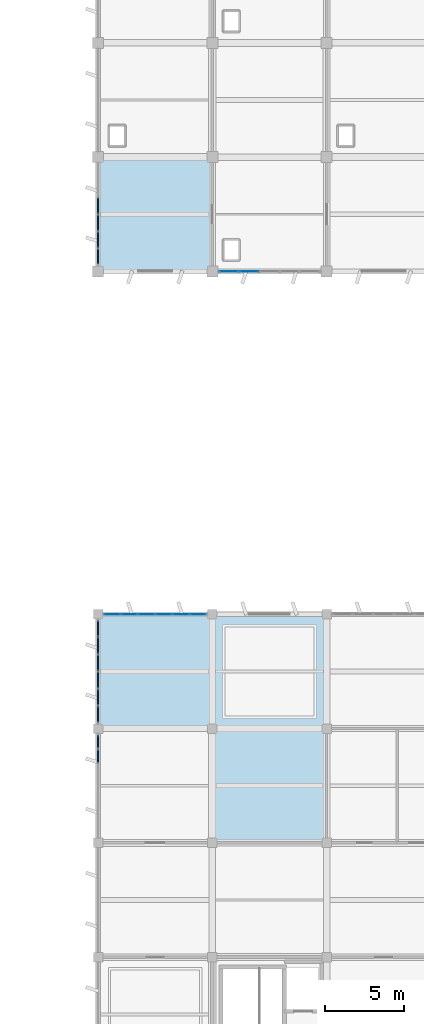
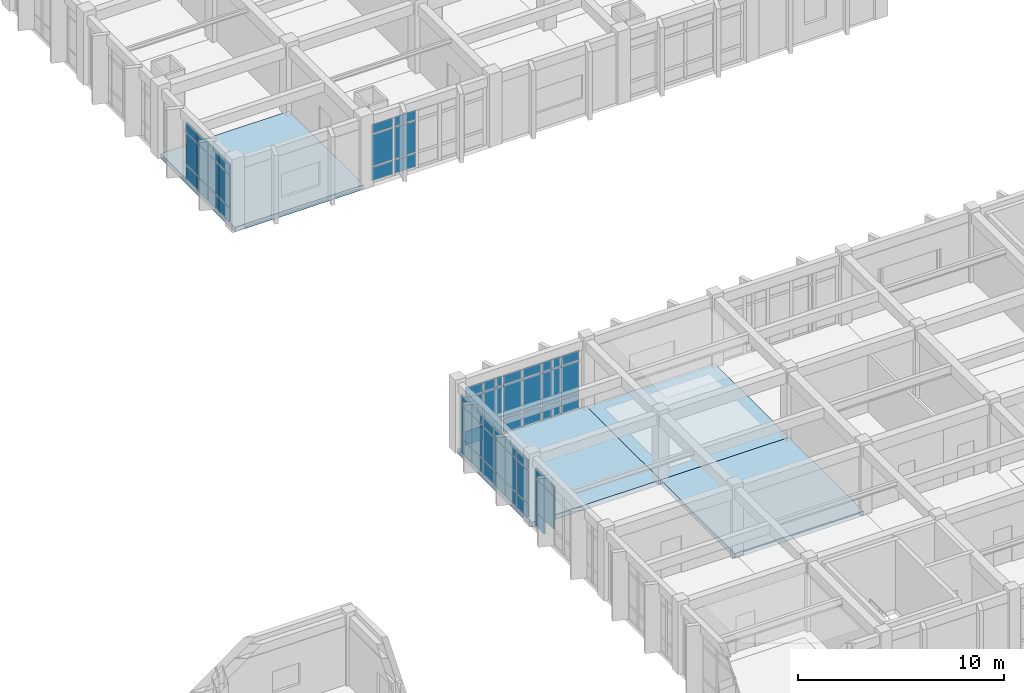
# One storey, part 36 of 70: 59 plates, 4 slabs, 5 elements without a shape of their own.
"""IFC4 building model written with IfcOpenShell, lengths in metres."""

from ifc_helpers import new_model, si_unit, direction, frame, origin, origin_2d, place, context, subcontext, project, spatial, polyline, rectangle, outline, extrude, material, layer, layer_set, type_object, element, aggregate, save


model = new_model("IFC4")

# Units and contexts
model_context = context("Model", 3, precision=1e-05, world=origin(), true_north=direction((0.0, 1.0)))
body_context = subcontext(model_context, "Body", "Model", "MODEL_VIEW")
ifc_project = project(units=[si_unit("LENGTHUNIT", "METRE"), si_unit("AREAUNIT", "SQUARE_METRE"), si_unit("VOLUMEUNIT", "CUBIC_METRE"), si_unit("PLANEANGLEUNIT", "RADIAN"), si_unit("MASSUNIT", "GRAM", prefix="KILO")], contexts=[model_context])

# Site, building, storey
site_placement = place(None, origin())
site = spatial("IfcSite", under=ifc_project, at=site_placement, CompositionType="ELEMENT")
building_placement = place(site_placement, origin())
building = spatial("IfcBuilding", under=site, at=building_placement, Name="Kavelor Marine Aquarium", CompositionType="ELEMENT")
storey_placement = place(building_placement, frame((0.0, 0.0, 9.179931640625)))
storey = spatial("IfcBuildingStorey", under=building, at=storey_placement, Name="L02", CompositionType="ELEMENT", Elevation=9.179931640625)

# Curtain wall, plates
ifc_material_1 = material(Name="Thermally Broken Aluminium and Low-E Glass", Category="aluminium")
ifc_layer_1 = layer(ifc_material_1, 0.179931640625)
ifc_layer_set_1 = layer_set([ifc_layer_1], Name="CW-SYS5")
curtain_wall_type_1 = type_object("IfcCurtainWallType", Name="CW-SYS5", PredefinedType="USERDEFINED", material=ifc_layer_set_1)
curtain_wall_1_placement = place(storey_placement, origin())
curtain_wall_1 = element("IfcCurtainWall", 1, at=curtain_wall_1_placement, inside=storey, type_object=curtain_wall_type_1, Name="cw:x:L02:16_04", ObjectType="Curtain Wall", PredefinedType="USERDEFINED")
ifc_material_2 = material(Name="Solar-Control Double Low-E Glazing", Category="glass")
ifc_layer_2 = layer(ifc_material_2, 0.033935546875)
ifc_layer_set_2 = layer_set([ifc_layer_2], Name="CWP-05")
plate_type_1 = type_object("IfcPlateType", Name="CWP-05", PredefinedType="CURTAIN_PANEL", material=ifc_layer_set_2)
plate_1_placement = place(storey_placement, frame((119.3037109375, 31.60009765625, 0.06005859375), z_axis=(0.0, 0.0, 1.0), x_axis=(1.0, 0.0, 0.0)))
plate_1 = element("IfcPlate", 2, at=plate_1_placement, type_object=plate_type_1, Name="CW05 panel 1.1", PredefinedType="CURTAIN_PANEL", context=body_context, shape_type="SweptSolid", body=[
    extrude(rectangle(XDim=0.987548828125, YDim=0.033935546875, at=origin_2d()), origin(), (0.0, 0.0, 1.0), 0.81005859375),
])
plate_2_placement = place(storey_placement, frame((119.3037109375, 31.60009765625, 0.93017578125), z_axis=(0.0, 0.0, 1.0), x_axis=(1.0, 0.0, 0.0)))
plate_2 = element("IfcPlate", 3, at=plate_2_placement, type_object=plate_type_1, Name="CW05 panel 1.2", PredefinedType="CURTAIN_PANEL", context=body_context, shape_type="SweptSolid", body=[
    extrude(rectangle(XDim=0.987548828125, YDim=0.033935546875, at=origin_2d()), origin(), (0.0, 0.0, 1.0), 1.909912109375),
])
plate_3_placement = place(storey_placement, frame((119.3037109375, 31.60009765625, 2.900146484375), z_axis=(0.0, 0.0, 1.0), x_axis=(1.0, 0.0, 0.0)))
plate_3 = element("IfcPlate", 4, at=plate_3_placement, type_object=plate_type_1, Name="CW05 panel 1.3", PredefinedType="CURTAIN_PANEL", context=body_context, shape_type="SweptSolid", body=[
    extrude(rectangle(XDim=0.987548828125, YDim=0.033935546875, at=origin_2d()), origin(), (0.0, 0.0, 1.0), 0.56005859375),
])
plate_4_placement = place(storey_placement, frame((120.37255859375, 31.60009765625, 0.06005859375), z_axis=(0.0, 0.0, 1.0), x_axis=(1.0, 0.0, 0.0)))
plate_4 = element("IfcPlate", 5, at=plate_4_placement, type_object=plate_type_1, Name="CW05 panel 2.1", PredefinedType="CURTAIN_PANEL", context=body_context, shape_type="SweptSolid", body=[
    extrude(rectangle(XDim=1.02001953125, YDim=0.033935546875, at=origin_2d()), origin(), (0.0, 0.0, 1.0), 0.81005859375),
])
plate_5_placement = place(storey_placement, frame((120.37255859375, 31.60009765625, 0.93017578125), z_axis=(0.0, 0.0, 1.0), x_axis=(1.0, 0.0, 0.0)))
plate_5 = element("IfcPlate", 6, at=plate_5_placement, type_object=plate_type_1, Name="CW05 panel 2.2", PredefinedType="CURTAIN_PANEL", context=body_context, shape_type="SweptSolid", body=[
    extrude(rectangle(XDim=1.02001953125, YDim=0.033935546875, at=origin_2d()), origin(), (0.0, 0.0, 1.0), 1.909912109375),
])
plate_6_placement = place(storey_placement, frame((120.37255859375, 31.60009765625, 2.900146484375), z_axis=(0.0, 0.0, 1.0), x_axis=(1.0, 0.0, 0.0)))
plate_6 = element("IfcPlate", 7, at=plate_6_placement, type_object=plate_type_1, Name="CW05 panel 2.3", PredefinedType="CURTAIN_PANEL", context=body_context, shape_type="SweptSolid", body=[
    extrude(rectangle(XDim=1.02001953125, YDim=0.033935546875, at=origin_2d()), origin(), (0.0, 0.0, 1.0), 0.56005859375),
])
plate_7_placement = place(storey_placement, frame((121.45751953125, 31.60009765625, 0.06005859375), z_axis=(0.0, 0.0, 1.0), x_axis=(1.0, 0.0, 0.0)))
plate_7 = element("IfcPlate", 8, at=plate_7_placement, type_object=plate_type_1, Name="CW05 panel 3.1", PredefinedType="CURTAIN_PANEL", context=body_context, shape_type="SweptSolid", body=[
    extrude(rectangle(XDim=1.02001953125, YDim=0.033935546875, at=origin_2d()), origin(), (0.0, 0.0, 1.0), 0.81005859375),
])
plate_8_placement = place(storey_placement, frame((121.45751953125, 31.60009765625, 0.93017578125), z_axis=(0.0, 0.0, 1.0), x_axis=(1.0, 0.0, 0.0)))
plate_8 = element("IfcPlate", 9, at=plate_8_placement, type_object=plate_type_1, Name="CW05 panel 3.2", PredefinedType="CURTAIN_PANEL", context=body_context, shape_type="SweptSolid", body=[
    extrude(rectangle(XDim=1.02001953125, YDim=0.033935546875, at=origin_2d()), origin(), (0.0, 0.0, 1.0), 1.909912109375),
])
plate_9_placement = place(storey_placement, frame((121.45751953125, 31.60009765625, 2.900146484375), z_axis=(0.0, 0.0, 1.0), x_axis=(1.0, 0.0, 0.0)))
plate_9 = element("IfcPlate", 10, at=plate_9_placement, type_object=plate_type_1, Name="CW05 panel 3.3", PredefinedType="CURTAIN_PANEL", context=body_context, shape_type="SweptSolid", body=[
    extrude(rectangle(XDim=1.02001953125, YDim=0.033935546875, at=origin_2d()), origin(), (0.0, 0.0, 1.0), 0.56005859375),
])
plate_10_placement = place(storey_placement, frame((122.54248046875, 31.60009765625, 0.06005859375), z_axis=(0.0, 0.0, 1.0), x_axis=(1.0, 0.0, 0.0)))
plate_10 = element("IfcPlate", 11, at=plate_10_placement, type_object=plate_type_1, Name="CW05 panel 4.1", PredefinedType="CURTAIN_PANEL", context=body_context, shape_type="SweptSolid", body=[
    extrude(rectangle(XDim=1.02001953125, YDim=0.033935546875, at=origin_2d()), origin(), (0.0, 0.0, 1.0), 0.81005859375),
])
plate_11_placement = place(storey_placement, frame((122.54248046875, 31.60009765625, 0.93017578125), z_axis=(0.0, 0.0, 1.0), x_axis=(1.0, 0.0, 0.0)))
plate_11 = element("IfcPlate", 12, at=plate_11_placement, type_object=plate_type_1, Name="CW05 panel 4.2", PredefinedType="CURTAIN_PANEL", context=body_context, shape_type="SweptSolid", body=[
    extrude(rectangle(XDim=1.02001953125, YDim=0.033935546875, at=origin_2d()), origin(), (0.0, 0.0, 1.0), 1.909912109375),
])
plate_12_placement = place(storey_placement, frame((122.54248046875, 31.60009765625, 2.900146484375), z_axis=(0.0, 0.0, 1.0), x_axis=(1.0, 0.0, 0.0)))
plate_12 = element("IfcPlate", 13, at=plate_12_placement, type_object=plate_type_1, Name="CW05 panel 4.3", PredefinedType="CURTAIN_PANEL", context=body_context, shape_type="SweptSolid", body=[
    extrude(rectangle(XDim=1.02001953125, YDim=0.033935546875, at=origin_2d()), origin(), (0.0, 0.0, 1.0), 0.56005859375),
])
plate_13_placement = place(storey_placement, frame((123.62744140625, 31.60009765625, 0.06005859375), z_axis=(0.0, 0.0, 1.0), x_axis=(1.0, 0.0, 0.0)))
plate_13 = element("IfcPlate", 14, at=plate_13_placement, type_object=plate_type_1, Name="CW05 panel 5.1", PredefinedType="CURTAIN_PANEL", context=body_context, shape_type="SweptSolid", body=[
    extrude(rectangle(XDim=1.02001953125, YDim=0.033935546875, at=origin_2d()), origin(), (0.0, 0.0, 1.0), 0.81005859375),
])
plate_14_placement = place(storey_placement, frame((123.62744140625, 31.60009765625, 0.93017578125), z_axis=(0.0, 0.0, 1.0), x_axis=(1.0, 0.0, 0.0)))
plate_14 = element("IfcPlate", 15, at=plate_14_placement, type_object=plate_type_1, Name="CW05 panel 5.2", PredefinedType="CURTAIN_PANEL", context=body_context, shape_type="SweptSolid", body=[
    extrude(rectangle(XDim=1.02001953125, YDim=0.033935546875, at=origin_2d()), origin(), (0.0, 0.0, 1.0), 1.909912109375),
])
plate_15_placement = place(storey_placement, frame((123.62744140625, 31.60009765625, 2.900146484375), z_axis=(0.0, 0.0, 1.0), x_axis=(1.0, 0.0, 0.0)))
plate_15 = element("IfcPlate", 16, at=plate_15_placement, type_object=plate_type_1, Name="CW05 panel 5.3", PredefinedType="CURTAIN_PANEL", context=body_context, shape_type="SweptSolid", body=[
    extrude(rectangle(XDim=1.02001953125, YDim=0.033935546875, at=origin_2d()), origin(), (0.0, 0.0, 1.0), 0.56005859375),
])
plate_16_placement = place(storey_placement, frame((124.6962890625, 31.60009765625, 0.06005859375), z_axis=(0.0, 0.0, 1.0), x_axis=(1.0, 0.0, 0.0)))
plate_16 = element("IfcPlate", 17, at=plate_16_placement, type_object=plate_type_1, Name="CW05 panel 6.1", PredefinedType="CURTAIN_PANEL", context=body_context, shape_type="SweptSolid", body=[
    extrude(rectangle(XDim=0.987548828125, YDim=0.033935546875, at=origin_2d()), origin(), (0.0, 0.0, 1.0), 0.81005859375),
])
plate_17_placement = place(storey_placement, frame((124.6962890625, 31.60009765625, 0.93017578125), z_axis=(0.0, 0.0, 1.0), x_axis=(1.0, 0.0, 0.0)))
plate_17 = element("IfcPlate", 18, at=plate_17_placement, type_object=plate_type_1, Name="CW05 panel 6.2", PredefinedType="CURTAIN_PANEL", context=body_context, shape_type="SweptSolid", body=[
    extrude(rectangle(XDim=0.987548828125, YDim=0.033935546875, at=origin_2d()), origin(), (0.0, 0.0, 1.0), 1.909912109375),
])
plate_18_placement = place(storey_placement, frame((124.6962890625, 31.60009765625, 2.900146484375), z_axis=(0.0, 0.0, 1.0), x_axis=(1.0, 0.0, 0.0)))
plate_18 = element("IfcPlate", 19, at=plate_18_placement, type_object=plate_type_1, Name="CW05 panel 6.3", PredefinedType="CURTAIN_PANEL", context=body_context, shape_type="SweptSolid", body=[
    extrude(rectangle(XDim=0.987548828125, YDim=0.033935546875, at=origin_2d()), origin(), (0.0, 0.0, 1.0), 0.56005859375),
])
aggregate(curtain_wall_1, [plate_1, plate_2, plate_3, plate_4, plate_5, plate_6, plate_7, plate_8, plate_9, plate_10, plate_11, plate_12, plate_13, plate_14, plate_15, plate_16, plate_17, plate_18])

ifc_material_3 = material(Name="Thermally Broken Aluminium and Low-E Glass", Category="aluminium")
ifc_layer_3 = layer(ifc_material_3, 0.18798828125)
ifc_layer_set_3 = layer_set([ifc_layer_3], Name="CW-SYS6")
curtain_wall_type_2 = type_object("IfcCurtainWallType", Name="CW-SYS6", PredefinedType="USERDEFINED", material=ifc_layer_set_3)
curtain_wall_2_placement = place(storey_placement, origin())
curtain_wall_2 = element("IfcCurtainWall", 20, at=curtain_wall_2_placement, inside=storey, type_object=curtain_wall_type_2, Name="cw:x:L02:17_07", ObjectType="Curtain Wall", PredefinedType="USERDEFINED")
ifc_material_4 = material(Name="Solar-Control Double Low-E Glazing", Category="glass")
ifc_layer_4 = layer(ifc_material_4, 0.035888671875)
ifc_layer_set_4 = layer_set([ifc_layer_4], Name="CWP-06")
plate_type_2 = type_object("IfcPlateType", Name="CWP-06", PredefinedType="CURTAIN_PANEL", material=ifc_layer_set_4)
plate_19_placement = place(storey_placement, frame((127.91796875, 53.199951171875, 0.074951171875), z_axis=(0.0, 0.0, 1.0), x_axis=(-1.0, 0.0, 0.0)))
plate_19 = element("IfcPlate", 21, at=plate_19_placement, type_object=plate_type_2, Name="CW06 panel 4.1", PredefinedType="CURTAIN_PANEL", context=body_context, shape_type="SweptSolid", body=[
    extrude(rectangle(XDim=1.221923828125, YDim=0.035888671875, at=origin_2d()), origin(), (0.0, 0.0, 1.0), 0.78759765625),
])
plate_20_placement = place(storey_placement, frame((127.91796875, 53.199951171875, 0.9375), z_axis=(0.0, 0.0, 1.0), x_axis=(-1.0, 0.0, 0.0)))
plate_20 = element("IfcPlate", 22, at=plate_20_placement, type_object=plate_type_2, Name="CW06 panel 4.2", PredefinedType="CURTAIN_PANEL", context=body_context, shape_type="SweptSolid", body=[
    extrude(rectangle(XDim=1.221923828125, YDim=0.035888671875, at=origin_2d()), origin(), (0.0, 0.0, 1.0), 1.85498046875),
])
plate_21_placement = place(storey_placement, frame((127.91796875, 53.199951171875, 2.867431640625), z_axis=(0.0, 0.0, 1.0), x_axis=(-1.0, 0.0, 0.0)))
plate_21 = element("IfcPlate", 23, at=plate_21_placement, type_object=plate_type_2, Name="CW06 panel 4.3", PredefinedType="CURTAIN_PANEL", context=body_context, shape_type="SweptSolid", body=[
    extrude(rectangle(XDim=1.221923828125, YDim=0.035888671875, at=origin_2d()), origin(), (0.0, 0.0, 1.0), 0.53759765625),
])
plate_22_placement = place(storey_placement, frame((126.65087890625, 53.199951171875, 0.074951171875), z_axis=(0.0, 0.0, 1.0), x_axis=(-1.0, 0.0, 0.0)))
plate_22 = element("IfcPlate", 24, at=plate_22_placement, type_object=plate_type_2, Name="CW06 panel 5.1", PredefinedType="CURTAIN_PANEL", context=body_context, shape_type="SweptSolid", body=[
    extrude(rectangle(XDim=1.19189453125, YDim=0.035888671875, at=origin_2d()), origin(), (0.0, 0.0, 1.0), 0.78759765625),
])
plate_23_placement = place(storey_placement, frame((126.65087890625, 53.199951171875, 0.9375), z_axis=(0.0, 0.0, 1.0), x_axis=(-1.0, 0.0, 0.0)))
plate_23 = element("IfcPlate", 25, at=plate_23_placement, type_object=plate_type_2, Name="CW06 panel 5.2", PredefinedType="CURTAIN_PANEL", context=body_context, shape_type="SweptSolid", body=[
    extrude(rectangle(XDim=1.19189453125, YDim=0.035888671875, at=origin_2d()), origin(), (0.0, 0.0, 1.0), 1.85498046875),
])
plate_24_placement = place(storey_placement, frame((126.65087890625, 53.199951171875, 2.867431640625), z_axis=(0.0, 0.0, 1.0), x_axis=(-1.0, 0.0, 0.0)))
plate_24 = element("IfcPlate", 26, at=plate_24_placement, type_object=plate_type_2, Name="CW06 panel 5.3", PredefinedType="CURTAIN_PANEL", context=body_context, shape_type="SweptSolid", body=[
    extrude(rectangle(XDim=1.19189453125, YDim=0.035888671875, at=origin_2d()), origin(), (0.0, 0.0, 1.0), 0.53759765625),
])
aggregate(curtain_wall_2, [plate_19, plate_20, plate_21, plate_22, plate_23, plate_24])

ifc_material_5 = material(Name="Thermally Broken Aluminium and Low-E Glass", Category="aluminium")
ifc_layer_5 = layer(ifc_material_5, 0.156005859375)
ifc_layer_set_5 = layer_set([ifc_layer_5], Name="CW-SYS2")
curtain_wall_type_3 = type_object("IfcCurtainWallType", Name="CW-SYS2", PredefinedType="USERDEFINED", material=ifc_layer_set_5)
curtain_wall_3_placement = place(storey_placement, origin())
curtain_wall_3 = element("IfcCurtainWall", 27, at=curtain_wall_3_placement, inside=storey, type_object=curtain_wall_type_3, Name="cw:y:L02:16_02", ObjectType="Curtain Wall", PredefinedType="USERDEFINED")
ifc_material_6 = material(Name="Solar-Control Double Low-E Glazing", Category="glass")
ifc_layer_6 = layer(ifc_material_6, 0.075927734375)
ifc_layer_set_6 = layer_set([ifc_layer_6], Name="CWP-26")
plate_type_3 = type_object("IfcPlateType", Name="CWP-26", PredefinedType="CURTAIN_PANEL", material=ifc_layer_set_6)
plate_25_placement = place(storey_placement, frame((118.39990234375, 23.57373046875, 0.06494140625), z_axis=(0.0, 0.0, 1.0), x_axis=(0.0, -1.0, 0.0)))
plate_25 = element("IfcPlate", 28, at=plate_25_placement, type_object=plate_type_3, Name="CW02 panel 1.1", PredefinedType="CURTAIN_PANEL", context=body_context, shape_type="SweptSolid", body=[
    extrude(rectangle(XDim=0.83251953125, YDim=0.075927734375, at=origin_2d()), origin(), (0.0, 0.0, 1.0), 0.802490234375),
])
plate_26_placement = place(storey_placement, frame((118.39990234375, 23.57373046875, 0.9326171875), z_axis=(0.0, 0.0, 1.0), x_axis=(0.0, -1.0, 0.0)))
plate_26 = element("IfcPlate", 29, at=plate_26_placement, type_object=plate_type_3, Name="CW02 panel 1.2", PredefinedType="CURTAIN_PANEL", context=body_context, shape_type="SweptSolid", body=[
    extrude(rectangle(XDim=0.83251953125, YDim=0.075927734375, at=origin_2d()), origin(), (0.0, 0.0, 1.0), 1.905029296875),
])
plate_27_placement = place(storey_placement, frame((118.39990234375, 23.57373046875, 2.90234375), z_axis=(0.0, 0.0, 1.0), x_axis=(0.0, -1.0, 0.0)))
plate_27 = element("IfcPlate", 30, at=plate_27_placement, type_object=plate_type_3, Name="CW02 panel 1.3", PredefinedType="CURTAIN_PANEL", context=body_context, shape_type="SweptSolid", body=[
    extrude(rectangle(XDim=0.83251953125, YDim=0.075927734375, at=origin_2d()), origin(), (0.0, 0.0, 1.0), 0.552490234375),
])
plate_28_placement = place(storey_placement, frame((118.39990234375, 22.659912109375, 0.9326171875), z_axis=(0.0, 0.0, 1.0), x_axis=(0.0, -1.0, 0.0)))
plate_28 = element("IfcPlate", 31, at=plate_28_placement, type_object=plate_type_3, Name="CW02 panel 2.2", PredefinedType="CURTAIN_PANEL", context=body_context, shape_type="SweptSolid", body=[
    extrude(rectangle(XDim=0.864990234375, YDim=0.075927734375, at=origin_2d()), origin(), (0.0, 0.0, 1.0), 1.905029296875),
])
plate_29_placement = place(storey_placement, frame((118.39990234375, 22.659912109375, 2.90234375), z_axis=(0.0, 0.0, 1.0), x_axis=(0.0, -1.0, 0.0)))
plate_29 = element("IfcPlate", 32, at=plate_29_placement, type_object=plate_type_3, Name="CW02 panel 2.3", PredefinedType="CURTAIN_PANEL", context=body_context, shape_type="SweptSolid", body=[
    extrude(rectangle(XDim=0.864990234375, YDim=0.075927734375, at=origin_2d()), origin(), (0.0, 0.0, 1.0), 0.552490234375),
])
aggregate(curtain_wall_3, [plate_25, plate_26, plate_27, plate_28, plate_29])

ifc_material_7 = material(Name="Thermally Broken Aluminium and Low-E Glass", Category="aluminium")
ifc_layer_7 = layer(ifc_material_7, 0.1640625)
ifc_layer_set_7 = layer_set([ifc_layer_7], Name="CW-SYS3")
curtain_wall_type_4 = type_object("IfcCurtainWallType", Name="CW-SYS3", PredefinedType="USERDEFINED", material=ifc_layer_set_7)
curtain_wall_4_placement = place(storey_placement, origin())
curtain_wall_4 = element("IfcCurtainWall", 33, at=curtain_wall_4_placement, inside=storey, type_object=curtain_wall_type_4, Name="cw:y:L02:16_03", ObjectType="Curtain Wall", PredefinedType="USERDEFINED")
ifc_material_8 = material(Name="Solar-Control Double Low-E Glazing", Category="glass")
ifc_layer_8 = layer(ifc_material_8, 0.077880859375)
ifc_layer_set_8 = layer_set([ifc_layer_8], Name="CWP-27")
plate_type_4 = type_object("IfcPlateType", Name="CWP-27", PredefinedType="CURTAIN_PANEL", material=ifc_layer_set_8)
plate_30_placement = place(storey_placement, frame((118.39990234375, 30.697509765625, 0.06494140625), z_axis=(0.0, 0.0, 1.0), x_axis=(0.0, -1.0, 0.0)))
plate_30 = element("IfcPlate", 34, at=plate_30_placement, type_object=plate_type_4, Name="CW03 panel 1.1", PredefinedType="CURTAIN_PANEL", context=body_context, shape_type="SweptSolid", body=[
    extrude(rectangle(XDim=0.9951171875, YDim=0.077880859375, at=origin_2d()), origin(), (0.0, 0.0, 1.0), 0.802490234375),
])
plate_31_placement = place(storey_placement, frame((118.39990234375, 30.697509765625, 0.9326171875), z_axis=(0.0, 0.0, 1.0), x_axis=(0.0, -1.0, 0.0)))
plate_31 = element("IfcPlate", 35, at=plate_31_placement, type_object=plate_type_4, Name="CW03 panel 1.2", PredefinedType="CURTAIN_PANEL", context=body_context, shape_type="SweptSolid", body=[
    extrude(rectangle(XDim=0.9951171875, YDim=0.077880859375, at=origin_2d()), origin(), (0.0, 0.0, 1.0), 1.905029296875),
])
plate_32_placement = place(storey_placement, frame((118.39990234375, 30.697509765625, 2.90234375), z_axis=(0.0, 0.0, 1.0), x_axis=(0.0, -1.0, 0.0)))
plate_32 = element("IfcPlate", 36, at=plate_32_placement, type_object=plate_type_4, Name="CW03 panel 1.3", PredefinedType="CURTAIN_PANEL", context=body_context, shape_type="SweptSolid", body=[
    extrude(rectangle(XDim=0.9951171875, YDim=0.077880859375, at=origin_2d()), origin(), (0.0, 0.0, 1.0), 0.552490234375),
])
plate_33_placement = place(storey_placement, frame((118.39990234375, 29.62744140625, 0.06494140625), z_axis=(0.0, 0.0, 1.0), x_axis=(0.0, -1.0, 0.0)))
plate_33 = element("IfcPlate", 37, at=plate_33_placement, type_object=plate_type_4, Name="CW03 panel 2.1", PredefinedType="CURTAIN_PANEL", context=body_context, shape_type="SweptSolid", body=[
    extrude(rectangle(XDim=1.02490234375, YDim=0.077880859375, at=origin_2d()), origin(), (0.0, 0.0, 1.0), 0.802490234375),
])
plate_34_placement = place(storey_placement, frame((118.39990234375, 29.62744140625, 0.9326171875), z_axis=(0.0, 0.0, 1.0), x_axis=(0.0, -1.0, 0.0)))
plate_34 = element("IfcPlate", 38, at=plate_34_placement, type_object=plate_type_4, Name="CW03 panel 2.2", PredefinedType="CURTAIN_PANEL", context=body_context, shape_type="SweptSolid", body=[
    extrude(rectangle(XDim=1.02490234375, YDim=0.077880859375, at=origin_2d()), origin(), (0.0, 0.0, 1.0), 1.905029296875),
])
plate_35_placement = place(storey_placement, frame((118.39990234375, 29.62744140625, 2.90234375), z_axis=(0.0, 0.0, 1.0), x_axis=(0.0, -1.0, 0.0)))
plate_35 = element("IfcPlate", 39, at=plate_35_placement, type_object=plate_type_4, Name="CW03 panel 2.3", PredefinedType="CURTAIN_PANEL", context=body_context, shape_type="SweptSolid", body=[
    extrude(rectangle(XDim=1.02490234375, YDim=0.077880859375, at=origin_2d()), origin(), (0.0, 0.0, 1.0), 0.552490234375),
])
plate_36_placement = place(storey_placement, frame((118.39990234375, 28.54248046875, 0.06494140625), z_axis=(0.0, 0.0, 1.0), x_axis=(0.0, -1.0, 0.0)))
plate_36 = element("IfcPlate", 40, at=plate_36_placement, type_object=plate_type_4, Name="CW03 panel 3.1", PredefinedType="CURTAIN_PANEL", context=body_context, shape_type="SweptSolid", body=[
    extrude(rectangle(XDim=1.02490234375, YDim=0.077880859375, at=origin_2d()), origin(), (0.0, 0.0, 1.0), 0.802490234375),
])
plate_37_placement = place(storey_placement, frame((118.39990234375, 28.54248046875, 0.9326171875), z_axis=(0.0, 0.0, 1.0), x_axis=(0.0, -1.0, 0.0)))
plate_37 = element("IfcPlate", 41, at=plate_37_placement, type_object=plate_type_4, Name="CW03 panel 3.2", PredefinedType="CURTAIN_PANEL", context=body_context, shape_type="SweptSolid", body=[
    extrude(rectangle(XDim=1.02490234375, YDim=0.077880859375, at=origin_2d()), origin(), (0.0, 0.0, 1.0), 1.905029296875),
])
plate_38_placement = place(storey_placement, frame((118.39990234375, 28.54248046875, 2.90234375), z_axis=(0.0, 0.0, 1.0), x_axis=(0.0, -1.0, 0.0)))
plate_38 = element("IfcPlate", 42, at=plate_38_placement, type_object=plate_type_4, Name="CW03 panel 3.3", PredefinedType="CURTAIN_PANEL", context=body_context, shape_type="SweptSolid", body=[
    extrude(rectangle(XDim=1.02490234375, YDim=0.077880859375, at=origin_2d()), origin(), (0.0, 0.0, 1.0), 0.552490234375),
])
plate_39_placement = place(storey_placement, frame((118.39990234375, 27.45751953125, 0.06494140625), z_axis=(0.0, 0.0, 1.0), x_axis=(0.0, -1.0, 0.0)))
plate_39 = element("IfcPlate", 43, at=plate_39_placement, type_object=plate_type_4, Name="CW03 panel 4.1", PredefinedType="CURTAIN_PANEL", context=body_context, shape_type="SweptSolid", body=[
    extrude(rectangle(XDim=1.02490234375, YDim=0.077880859375, at=origin_2d()), origin(), (0.0, 0.0, 1.0), 0.802490234375),
])
plate_40_placement = place(storey_placement, frame((118.39990234375, 27.45751953125, 0.9326171875), z_axis=(0.0, 0.0, 1.0), x_axis=(0.0, -1.0, 0.0)))
plate_40 = element("IfcPlate", 44, at=plate_40_placement, type_object=plate_type_4, Name="CW03 panel 4.2", PredefinedType="CURTAIN_PANEL", context=body_context, shape_type="SweptSolid", body=[
    extrude(rectangle(XDim=1.02490234375, YDim=0.077880859375, at=origin_2d()), origin(), (0.0, 0.0, 1.0), 1.905029296875),
])
plate_41_placement = place(storey_placement, frame((118.39990234375, 27.45751953125, 2.90234375), z_axis=(0.0, 0.0, 1.0), x_axis=(0.0, -1.0, 0.0)))
plate_41 = element("IfcPlate", 45, at=plate_41_placement, type_object=plate_type_4, Name="CW03 panel 4.3", PredefinedType="CURTAIN_PANEL", context=body_context, shape_type="SweptSolid", body=[
    extrude(rectangle(XDim=1.02490234375, YDim=0.077880859375, at=origin_2d()), origin(), (0.0, 0.0, 1.0), 0.552490234375),
])
plate_42_placement = place(storey_placement, frame((118.39990234375, 26.37255859375, 0.06494140625), z_axis=(0.0, 0.0, 1.0), x_axis=(0.0, -1.0, 0.0)))
plate_42 = element("IfcPlate", 46, at=plate_42_placement, type_object=plate_type_4, Name="CW03 panel 5.1", PredefinedType="CURTAIN_PANEL", context=body_context, shape_type="SweptSolid", body=[
    extrude(rectangle(XDim=1.02490234375, YDim=0.077880859375, at=origin_2d()), origin(), (0.0, 0.0, 1.0), 0.802490234375),
])
plate_43_placement = place(storey_placement, frame((118.39990234375, 26.37255859375, 0.9326171875), z_axis=(0.0, 0.0, 1.0), x_axis=(0.0, -1.0, 0.0)))
plate_43 = element("IfcPlate", 47, at=plate_43_placement, type_object=plate_type_4, Name="CW03 panel 5.2", PredefinedType="CURTAIN_PANEL", context=body_context, shape_type="SweptSolid", body=[
    extrude(rectangle(XDim=1.02490234375, YDim=0.077880859375, at=origin_2d()), origin(), (0.0, 0.0, 1.0), 1.905029296875),
])
plate_44_placement = place(storey_placement, frame((118.39990234375, 26.37255859375, 2.90234375), z_axis=(0.0, 0.0, 1.0), x_axis=(0.0, -1.0, 0.0)))
plate_44 = element("IfcPlate", 48, at=plate_44_placement, type_object=plate_type_4, Name="CW03 panel 5.3", PredefinedType="CURTAIN_PANEL", context=body_context, shape_type="SweptSolid", body=[
    extrude(rectangle(XDim=1.02490234375, YDim=0.077880859375, at=origin_2d()), origin(), (0.0, 0.0, 1.0), 0.552490234375),
])
plate_45_placement = place(storey_placement, frame((118.39990234375, 25.302490234375, 0.06494140625), z_axis=(0.0, 0.0, 1.0), x_axis=(0.0, -1.0, 0.0)))
plate_45 = element("IfcPlate", 49, at=plate_45_placement, type_object=plate_type_4, Name="CW03 panel 6.1", PredefinedType="CURTAIN_PANEL", context=body_context, shape_type="SweptSolid", body=[
    extrude(rectangle(XDim=0.9951171875, YDim=0.077880859375, at=origin_2d()), origin(), (0.0, 0.0, 1.0), 0.802490234375),
])
plate_46_placement = place(storey_placement, frame((118.39990234375, 25.302490234375, 0.9326171875), z_axis=(0.0, 0.0, 1.0), x_axis=(0.0, -1.0, 0.0)))
plate_46 = element("IfcPlate", 50, at=plate_46_placement, type_object=plate_type_4, Name="CW03 panel 6.2", PredefinedType="CURTAIN_PANEL", context=body_context, shape_type="SweptSolid", body=[
    extrude(rectangle(XDim=0.9951171875, YDim=0.077880859375, at=origin_2d()), origin(), (0.0, 0.0, 1.0), 1.905029296875),
])
plate_47_placement = place(storey_placement, frame((118.39990234375, 25.302490234375, 2.90234375), z_axis=(0.0, 0.0, 1.0), x_axis=(0.0, -1.0, 0.0)))
plate_47 = element("IfcPlate", 51, at=plate_47_placement, type_object=plate_type_4, Name="CW03 panel 6.3", PredefinedType="CURTAIN_PANEL", context=body_context, shape_type="SweptSolid", body=[
    extrude(rectangle(XDim=0.9951171875, YDim=0.077880859375, at=origin_2d()), origin(), (0.0, 0.0, 1.0), 0.552490234375),
])
aggregate(curtain_wall_4, [plate_30, plate_31, plate_32, plate_33, plate_34, plate_35, plate_36, plate_37, plate_38, plate_39, plate_40, plate_41, plate_42, plate_43, plate_44, plate_45, plate_46, plate_47])

ifc_material_9 = material(Name="Thermally Broken Aluminium and Low-E Glass", Category="aluminium")
ifc_layer_9 = layer(ifc_material_9, 0.172119140625)
ifc_layer_set_9 = layer_set([ifc_layer_9], Name="CW-SYS4")
curtain_wall_type_5 = type_object("IfcCurtainWallType", Name="CW-SYS4", PredefinedType="USERDEFINED", material=ifc_layer_set_9)
curtain_wall_5_placement = place(storey_placement, origin())
curtain_wall_5 = element("IfcCurtainWall", 52, at=curtain_wall_5_placement, inside=storey, type_object=curtain_wall_type_5, Name="cw:y:L02:16_07", ObjectType="Curtain Wall", PredefinedType="USERDEFINED")
ifc_material_10 = material(Name="Solar-Control Double Low-E Glazing", Category="glass")
ifc_layer_10 = layer(ifc_material_10, 0.080078125)
ifc_layer_set_10 = layer_set([ifc_layer_10], Name="CWP-28")
plate_type_5 = type_object("IfcPlateType", Name="CWP-28", PredefinedType="CURTAIN_PANEL", material=ifc_layer_set_10)
plate_48_placement = place(storey_placement, frame((118.39990234375, 57.334228515625, 0.06005859375), z_axis=(0.0, 0.0, 1.0), x_axis=(0.0, -1.0, 0.0)))
plate_48 = element("IfcPlate", 53, at=plate_48_placement, type_object=plate_type_5, Name="CW04 panel 3.1", PredefinedType="CURTAIN_PANEL", context=body_context, shape_type="SweptSolid", body=[
    extrude(rectangle(XDim=0.993408203125, YDim=0.080078125, at=origin_2d()), origin(), (0.0, 0.0, 1.0), 0.81005859375),
])
plate_49_placement = place(storey_placement, frame((118.39990234375, 57.334228515625, 0.929931640625), z_axis=(0.0, 0.0, 1.0), x_axis=(0.0, -1.0, 0.0)))
plate_49 = element("IfcPlate", 54, at=plate_49_placement, type_object=plate_type_5, Name="CW04 panel 3.2", PredefinedType="CURTAIN_PANEL", context=body_context, shape_type="SweptSolid", body=[
    extrude(rectangle(XDim=0.993408203125, YDim=0.080078125, at=origin_2d()), origin(), (0.0, 0.0, 1.0), 1.8701171875),
])
plate_50_placement = place(storey_placement, frame((118.39990234375, 57.334228515625, 2.860107421875), z_axis=(0.0, 0.0, 1.0), x_axis=(0.0, -1.0, 0.0)))
plate_50 = element("IfcPlate", 55, at=plate_50_placement, type_object=plate_type_5, Name="CW04 panel 3.3", PredefinedType="CURTAIN_PANEL", context=body_context, shape_type="SweptSolid", body=[
    extrude(rectangle(XDim=0.993408203125, YDim=0.080078125, at=origin_2d()), origin(), (0.0, 0.0, 1.0), 0.56005859375),
])
plate_51_placement = place(storey_placement, frame((118.39990234375, 56.265869140625, 0.06005859375), z_axis=(0.0, 0.0, 1.0), x_axis=(0.0, -1.0, 0.0)))
plate_51 = element("IfcPlate", 56, at=plate_51_placement, type_object=plate_type_5, Name="CW04 panel 4.1", PredefinedType="CURTAIN_PANEL", context=body_context, shape_type="SweptSolid", body=[
    extrude(rectangle(XDim=0.993408203125, YDim=0.080078125, at=origin_2d()), origin(), (0.0, 0.0, 1.0), 0.81005859375),
])
plate_52_placement = place(storey_placement, frame((118.39990234375, 56.265869140625, 0.929931640625), z_axis=(0.0, 0.0, 1.0), x_axis=(0.0, -1.0, 0.0)))
plate_52 = element("IfcPlate", 57, at=plate_52_placement, type_object=plate_type_5, Name="CW04 panel 4.2", PredefinedType="CURTAIN_PANEL", context=body_context, shape_type="SweptSolid", body=[
    extrude(rectangle(XDim=0.993408203125, YDim=0.080078125, at=origin_2d()), origin(), (0.0, 0.0, 1.0), 1.8701171875),
])
plate_53_placement = place(storey_placement, frame((118.39990234375, 56.265869140625, 2.860107421875), z_axis=(0.0, 0.0, 1.0), x_axis=(0.0, -1.0, 0.0)))
plate_53 = element("IfcPlate", 58, at=plate_53_placement, type_object=plate_type_5, Name="CW04 panel 4.3", PredefinedType="CURTAIN_PANEL", context=body_context, shape_type="SweptSolid", body=[
    extrude(rectangle(XDim=0.993408203125, YDim=0.080078125, at=origin_2d()), origin(), (0.0, 0.0, 1.0), 0.56005859375),
])
plate_54_placement = place(storey_placement, frame((118.39990234375, 55.197509765625, 0.06005859375), z_axis=(0.0, 0.0, 1.0), x_axis=(0.0, -1.0, 0.0)))
plate_54 = element("IfcPlate", 59, at=plate_54_placement, type_object=plate_type_5, Name="CW04 panel 5.1", PredefinedType="CURTAIN_PANEL", context=body_context, shape_type="SweptSolid", body=[
    extrude(rectangle(XDim=0.993408203125, YDim=0.080078125, at=origin_2d()), origin(), (0.0, 0.0, 1.0), 0.81005859375),
])
plate_55_placement = place(storey_placement, frame((118.39990234375, 55.197509765625, 0.929931640625), z_axis=(0.0, 0.0, 1.0), x_axis=(0.0, -1.0, 0.0)))
plate_55 = element("IfcPlate", 60, at=plate_55_placement, type_object=plate_type_5, Name="CW04 panel 5.2", PredefinedType="CURTAIN_PANEL", context=body_context, shape_type="SweptSolid", body=[
    extrude(rectangle(XDim=0.993408203125, YDim=0.080078125, at=origin_2d()), origin(), (0.0, 0.0, 1.0), 1.8701171875),
])
plate_56_placement = place(storey_placement, frame((118.39990234375, 55.197509765625, 2.860107421875), z_axis=(0.0, 0.0, 1.0), x_axis=(0.0, -1.0, 0.0)))
plate_56 = element("IfcPlate", 61, at=plate_56_placement, type_object=plate_type_5, Name="CW04 panel 5.3", PredefinedType="CURTAIN_PANEL", context=body_context, shape_type="SweptSolid", body=[
    extrude(rectangle(XDim=0.993408203125, YDim=0.080078125, at=origin_2d()), origin(), (0.0, 0.0, 1.0), 0.56005859375),
])
plate_57_placement = place(storey_placement, frame((118.39990234375, 54.14794921875, 0.06005859375), z_axis=(0.0, 0.0, 1.0), x_axis=(0.0, -1.0, 0.0)))
plate_57 = element("IfcPlate", 62, at=plate_57_placement, type_object=plate_type_5, Name="CW04 panel 6.1", PredefinedType="CURTAIN_PANEL", context=body_context, shape_type="SweptSolid", body=[
    extrude(rectangle(XDim=0.955810546875, YDim=0.080078125, at=origin_2d()), origin(), (0.0, 0.0, 1.0), 0.81005859375),
])
plate_58_placement = place(storey_placement, frame((118.39990234375, 54.14794921875, 0.929931640625), z_axis=(0.0, 0.0, 1.0), x_axis=(0.0, -1.0, 0.0)))
plate_58 = element("IfcPlate", 63, at=plate_58_placement, type_object=plate_type_5, Name="CW04 panel 6.2", PredefinedType="CURTAIN_PANEL", context=body_context, shape_type="SweptSolid", body=[
    extrude(rectangle(XDim=0.955810546875, YDim=0.080078125, at=origin_2d()), origin(), (0.0, 0.0, 1.0), 1.8701171875),
])
plate_59_placement = place(storey_placement, frame((118.39990234375, 54.14794921875, 2.860107421875), z_axis=(0.0, 0.0, 1.0), x_axis=(0.0, -1.0, 0.0)))
plate_59 = element("IfcPlate", 64, at=plate_59_placement, type_object=plate_type_5, Name="CW04 panel 6.3", PredefinedType="CURTAIN_PANEL", context=body_context, shape_type="SweptSolid", body=[
    extrude(rectangle(XDim=0.955810546875, YDim=0.080078125, at=origin_2d()), origin(), (0.0, 0.0, 1.0), 0.56005859375),
])
aggregate(curtain_wall_5, [plate_48, plate_49, plate_50, plate_51, plate_52, plate_53, plate_54, plate_55, plate_56, plate_57, plate_58, plate_59])

# Slabs
ifc_material_11 = material(Name="Concrete C40/50", Category="concrete")
ifc_layer_11 = layer(ifc_material_11, 0.300048828125)
ifc_layer_set_11 = layer_set([ifc_layer_11], Name="SL-FL1")
slab_type_1 = type_object("IfcSlabType", Name="SL-FL1", PredefinedType="FLOOR", material=ifc_layer_set_11)
slab_1_placement = place(storey_placement, frame((0.0, 0.0, -0.300048828125)))
element("IfcSlab", 65, at=slab_1_placement, inside=storey, type_object=slab_type_1, Name="slab:L02:17_03", PredefinedType="FLOOR", context=body_context, shape_type="SweptSolid", body=[
    extrude(outline(polyline([(125.60009765625, 24.39990234375), (132.800048828125, 24.39990234375), (132.800048828125, 31.60009765625), (125.60009765625, 31.60009765625), (125.60009765625, 24.39990234375)])), origin(), (0.0, 0.0, 1.0), 0.300048828125),
])
ifc_material_12 = material(Name="Concrete C40/50", Category="concrete")
ifc_layer_12 = layer(ifc_material_12, 0.280029296875)
ifc_layer_set_12 = layer_set([ifc_layer_12], Name="SL-FL2")
slab_type_2 = type_object("IfcSlabType", Name="SL-FL2", PredefinedType="FLOOR", material=ifc_layer_set_12)
slab_2_placement = place(storey_placement, frame((0.0, 0.0, -0.280029296875)))
element("IfcSlab", 66, at=slab_2_placement, inside=storey, type_object=slab_type_2, Name="slab:L02:16_03", PredefinedType="FLOOR", context=body_context, shape_type="SweptSolid", body=[
    extrude(outline(polyline([(118.39990234375, 24.39990234375), (125.60009765625, 24.39990234375), (125.60009765625, 31.60009765625), (118.39990234375, 31.60009765625), (118.39990234375, 24.39990234375)])), origin(), (0.0, 0.0, 1.0), 0.280029296875),
])
slab_3_placement = place(storey_placement, frame((0.0, 0.0, -0.280029296875)))
element("IfcSlab", 67, at=slab_3_placement, inside=storey, type_object=slab_type_2, Name="slab:L02:16_07", PredefinedType="FLOOR", context=body_context, shape_type="SweptSolid", body=[
    extrude(outline(polyline([(118.39990234375, 53.199951171875), (125.60009765625, 53.199951171875), (125.60009765625, 60.39990234375), (118.39990234375, 60.39990234375), (118.39990234375, 53.199951171875)])), origin(), (0.0, 0.0, 1.0), 0.280029296875),
])
slab_4_placement = place(storey_placement, frame((0.0, 0.0, -0.280029296875)))
element("IfcSlab", 68, at=slab_4_placement, inside=storey, type_object=slab_type_2, Name="slab:L02:17_02", PredefinedType="FLOOR", context=body_context, shape_type="SweptSolid", body=[
    extrude(outline(polyline([(125.60009765625, 17.199951171875), (132.800048828125, 17.199951171875), (132.800048828125, 24.39990234375), (125.60009765625, 24.39990234375), (125.60009765625, 17.199951171875)])), origin(), (0.0, 0.0, 1.0), 0.280029296875),
])

save(model, "model.ifc")
